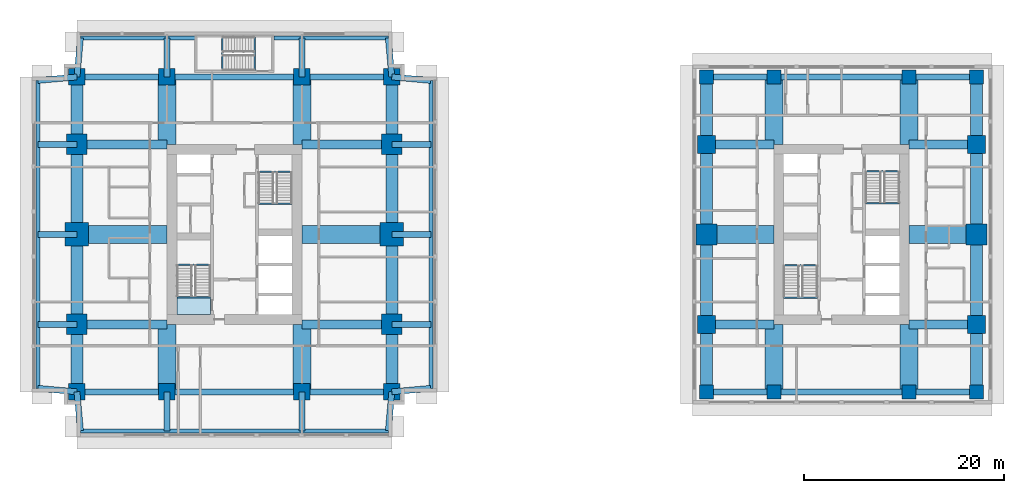
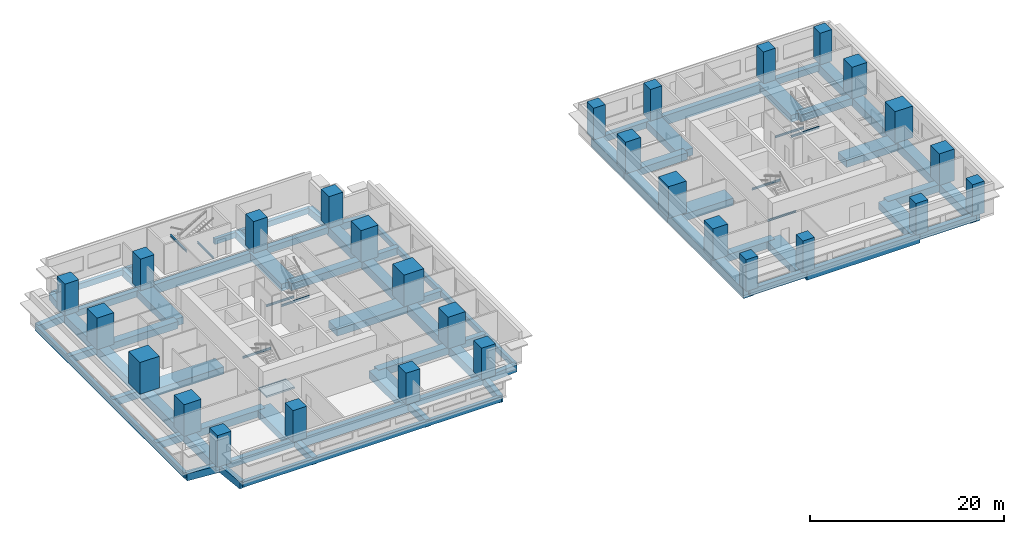
# One storey, part 1 of 11: 81 beams, 28 columns, 1 slab, 1 element without a shape of its own.
"""IFC4 building model written with IfcOpenShell, lengths in metres."""

from ifc_helpers import new_model, si_unit, direction, frame, origin, origin_2d, place, context, subcontext, project, spatial, polyline, rectangle, i_section, outline, extrude, material, layer, layer_set, material_profile, profile_set, type_object, element, aggregate, save


model = new_model("IFC4")

# Units and contexts
model_context = context("Model", 3, precision=1e-05, world=origin(), true_north=direction((0.0, 1.0)))
body_context = subcontext(model_context, "Body", "Model", "MODEL_VIEW")
ifc_project = project(units=[si_unit("LENGTHUNIT", "METRE"), si_unit("AREAUNIT", "SQUARE_METRE"), si_unit("VOLUMEUNIT", "CUBIC_METRE"), si_unit("PLANEANGLEUNIT", "RADIAN"), si_unit("MASSUNIT", "GRAM", prefix="KILO")], contexts=[model_context])

# Site, building, storey
site_placement = place(None, origin())
site = spatial("IfcSite", under=ifc_project, at=site_placement, CompositionType="ELEMENT")
building_placement = place(site_placement, origin())
building = spatial("IfcBuilding", under=site, at=building_placement, Name="Namib Vertical Campus", CompositionType="ELEMENT")
storey_placement = place(building_placement, frame((0.0, 0.0, 181.0)))
storey = spatial("IfcBuildingStorey", under=building, at=storey_placement, Name="L42", CompositionType="ELEMENT", Elevation=181.0)

# Columns
ifc_material_1 = material(Name="Concrete C60/75", Category="concrete")
ifc_material_profile_1 = material_profile(ifc_material_1, rectangle(XDim=1.39990234375, YDim=1.39990234375, at=origin_2d()))
ifc_profile_set_1 = profile_set([ifc_material_profile_1], Name="Concrete C60/75")
column_type_1 = type_object("IfcColumnType", Name="Column RC 1400x1400", PredefinedType="COLUMN", material=ifc_profile_set_1)
for number, where, z_axis, x_axis, name in (
    (1, (67.5, 4.5, 0.0), (0.0, 0.0, 1.0), (1.0, 0.0, 0.0), "Column C140 L42"),
    (2, (74.25, 4.5, 0.0), (0.0, 0.0, 1.0), (1.0, 0.0, 0.0), "Column C140 L42"),
    (3, (87.75, 4.5, 0.0), (0.0, 0.0, 1.0), (1.0, 0.0, 0.0), "Column C140 L42"),
    (4, (94.5, 4.5, 0.0), (0.0, 0.0, 1.0), (1.0, 0.0, 0.0), "Column C140 L42"),
    (5, (67.5, 36.0, 0.0), (0.0, 0.0, 1.0), (1.0, 0.0, 0.0), "Column C140 L42"),
    (6, (74.25, 36.0, 0.0), (0.0, 0.0, 1.0), (1.0, 0.0, 0.0), "Column C140 L42"),
    (7, (87.75, 36.0, 0.0), (0.0, 0.0, 1.0), (1.0, 0.0, 0.0), "Column C140 L42"),
    (8, (94.5, 36.0, 0.0), (0.0, 0.0, 1.0), (1.0, 0.0, 0.0), "Column C140 L42"),
):
    element("IfcColumn", number, at=place(storey_placement, frame(where, z_axis=z_axis, x_axis=x_axis)), inside=storey, type_object=column_type_1, Name=name, PredefinedType="COLUMN", context=body_context, shape_type="SweptSolid", body=[
        extrude(rectangle(XDim=1.39990234375, YDim=1.39990234375, at=origin_2d()), origin(), (0.0, 0.0, 1.0), 4.0),
    ])
ifc_material_2 = material(Name="Concrete C60/75", Category="concrete")
ifc_material_profile_2 = material_profile(ifc_material_2, rectangle(XDim=1.64990234375, YDim=1.64990234375, at=origin_2d()))
ifc_profile_set_2 = profile_set([ifc_material_profile_2], Name="Concrete C60/75")
column_type_2 = type_object("IfcColumnType", Name="Column RC 1650x1650", PredefinedType="COLUMN", material=ifc_profile_set_2)
for number, where, z_axis, x_axis, name in (
    (9, (4.5, 4.5, 0.0), (0.0, 0.0, 1.0), (1.0, 0.0, 0.0), "Column C165 L42"),
    (10, (13.5, 4.5, 0.0), (0.0, 0.0, 1.0), (1.0, 0.0, 0.0), "Column C165 L42"),
    (11, (27.0, 4.5, 0.0), (0.0, 0.0, 1.0), (1.0, 0.0, 0.0), "Column C165 L42"),
    (12, (36.0, 4.5, 0.0), (0.0, 0.0, 1.0), (1.0, 0.0, 0.0), "Column C165 L42"),
    (13, (4.5, 36.0, 0.0), (0.0, 0.0, 1.0), (1.0, 0.0, 0.0), "Column C165 L42"),
    (14, (13.5, 36.0, 0.0), (0.0, 0.0, 1.0), (1.0, 0.0, 0.0), "Column C165 L42"),
    (15, (27.0, 36.0, 0.0), (0.0, 0.0, 1.0), (1.0, 0.0, 0.0), "Column C165 L42"),
    (16, (36.0, 36.0, 0.0), (0.0, 0.0, 1.0), (1.0, 0.0, 0.0), "Column C165 L42"),
):
    element("IfcColumn", number, at=place(storey_placement, frame(where, z_axis=z_axis, x_axis=x_axis)), inside=storey, type_object=column_type_2, Name=name, PredefinedType="COLUMN", context=body_context, shape_type="SweptSolid", body=[
        extrude(rectangle(XDim=1.64990234375, YDim=1.64990234375, at=origin_2d()), origin(), (0.0, 0.0, 1.0), 4.0),
    ])
ifc_material_3 = material(Name="Concrete C60/75", Category="concrete")
ifc_material_profile_3 = material_profile(ifc_material_3, rectangle(XDim=1.800048828125, YDim=1.800048828125, at=origin_2d()))
ifc_profile_set_3 = profile_set([ifc_material_profile_3], Name="Concrete C60/75")
column_type_3 = type_object("IfcColumnType", Name="Column RC 1800x1800", PredefinedType="COLUMN", material=ifc_profile_set_3)
for number, where, z_axis, x_axis, name in (
    (17, (67.5, 11.25, 0.0), (0.0, 0.0, 1.0), (1.0, 0.0, 0.0), "Column C180 L42"),
    (18, (94.5, 11.25, 0.0), (0.0, 0.0, 1.0), (1.0, 0.0, 0.0), "Column C180 L42"),
    (19, (67.5, 29.25, 0.0), (0.0, 0.0, 1.0), (1.0, 0.0, 0.0), "Column C180 L42"),
    (20, (94.5, 29.25, 0.0), (0.0, 0.0, 1.0), (1.0, 0.0, 0.0), "Column C180 L42"),
):
    element("IfcColumn", number, at=place(storey_placement, frame(where, z_axis=z_axis, x_axis=x_axis)), inside=storey, type_object=column_type_3, Name=name, PredefinedType="COLUMN", context=body_context, shape_type="SweptSolid", body=[
        extrude(rectangle(XDim=1.800048828125, YDim=1.800048828125, at=origin_2d()), origin(), (0.0, 0.0, 1.0), 4.0),
    ])
ifc_material_4 = material(Name="Concrete C60/75", Category="concrete")
ifc_material_profile_4 = material_profile(ifc_material_4, rectangle(XDim=2.050048828125, YDim=2.050048828125, at=origin_2d()))
ifc_profile_set_4 = profile_set([ifc_material_profile_4], Name="Concrete C60/75")
column_type_4 = type_object("IfcColumnType", Name="Column RC 2050x2050", PredefinedType="COLUMN", material=ifc_profile_set_4)
for number, where, z_axis, x_axis, name in (
    (21, (4.5, 11.25, 0.0), (0.0, 0.0, 1.0), (1.0, 0.0, 0.0), "Column C205 L42"),
    (22, (36.0, 11.25, 0.0), (0.0, 0.0, 1.0), (1.0, 0.0, 0.0), "Column C205 L42"),
    (23, (4.5, 29.25, 0.0), (0.0, 0.0, 1.0), (1.0, 0.0, 0.0), "Column C205 L42"),
    (24, (36.0, 29.25, 0.0), (0.0, 0.0, 1.0), (1.0, 0.0, 0.0), "Column C205 L42"),
):
    element("IfcColumn", number, at=place(storey_placement, frame(where, z_axis=z_axis, x_axis=x_axis)), inside=storey, type_object=column_type_4, Name=name, PredefinedType="COLUMN", context=body_context, shape_type="SweptSolid", body=[
        extrude(rectangle(XDim=2.050048828125, YDim=2.050048828125, at=origin_2d()), origin(), (0.0, 0.0, 1.0), 4.0),
    ])
ifc_material_5 = material(Name="Concrete C60/75", Category="concrete")
ifc_material_profile_5 = material_profile(ifc_material_5, rectangle(XDim=2.10009765625, YDim=2.10009765625, at=origin_2d()))
ifc_profile_set_5 = profile_set([ifc_material_profile_5], Name="Concrete C60/75")
column_type_5 = type_object("IfcColumnType", Name="Column RC 2100x2100", PredefinedType="COLUMN", material=ifc_profile_set_5)
for number, where, z_axis, x_axis, name in (
    (25, (67.5, 20.25, 0.0), (0.0, 0.0, 1.0), (1.0, 0.0, 0.0), "Column C210 L42"),
    (26, (94.5, 20.25, 0.0), (0.0, 0.0, 1.0), (1.0, 0.0, 0.0), "Column C210 L42"),
):
    element("IfcColumn", number, at=place(storey_placement, frame(where, z_axis=z_axis, x_axis=x_axis)), inside=storey, type_object=column_type_5, Name=name, PredefinedType="COLUMN", context=body_context, shape_type="SweptSolid", body=[
        extrude(rectangle(XDim=2.10009765625, YDim=2.10009765625, at=origin_2d()), origin(), (0.0, 0.0, 1.0), 4.0),
    ])
ifc_material_6 = material(Name="Concrete C60/75", Category="concrete")
ifc_material_profile_6 = material_profile(ifc_material_6, rectangle(XDim=2.35009765625, YDim=2.35009765625, at=origin_2d()))
ifc_profile_set_6 = profile_set([ifc_material_profile_6], Name="Concrete C60/75")
column_type_6 = type_object("IfcColumnType", Name="Column RC 2350x2350", PredefinedType="COLUMN", material=ifc_profile_set_6)
for number, where, z_axis, x_axis, name in (
    (27, (4.5, 20.25, 0.0), (0.0, 0.0, 1.0), (1.0, 0.0, 0.0), "Column C235 L42"),
    (28, (36.0, 20.25, 0.0), (0.0, 0.0, 1.0), (1.0, 0.0, 0.0), "Column C235 L42"),
):
    element("IfcColumn", number, at=place(storey_placement, frame(where, z_axis=z_axis, x_axis=x_axis)), inside=storey, type_object=column_type_6, Name=name, PredefinedType="COLUMN", context=body_context, shape_type="SweptSolid", body=[
        extrude(rectangle(XDim=2.35009765625, YDim=2.35009765625, at=origin_2d()), origin(), (0.0, 0.0, 1.0), 4.0),
    ])

# Beams
ifc_material_7 = material(Name="Concrete C40/50", Category="concrete")
ifc_material_profile_7 = material_profile(ifc_material_7, rectangle(XDim=0.60009765625, YDim=0.89990234375, at=origin_2d()))
ifc_profile_set_7 = profile_set([ifc_material_profile_7], Name="Concrete C40/50")
beam_type_1 = type_object("IfcBeamType", Name="Cantilever girder RC 600x900", PredefinedType="BEAM", material=ifc_profile_set_7)
beam_1_placement = place(storey_placement, frame((4.5, 4.5, -0.699951171875), z_axis=(0.089411326146, -0.995994786511, 0.0), x_axis=(0.995994786511, 0.089411326146, 0.0)))
element("IfcBeam", 29, at=beam_1_placement, inside=storey, type_object=beam_type_1, Name="Beam B3 L42", PredefinedType="BEAM", context=body_context, shape_type="SweptSolid", body=[
    extrude(rectangle(XDim=0.60009765625, YDim=0.89990234375, at=origin_2d()), origin(), (0.0, 0.0, 1.0), 3.91552734375),
])
for number, where, z_axis, x_axis, name in (
    (30, (13.5, 4.5, -0.699951171875), (0.0, -1.0, 0.0), (1.0, 0.0, 0.0), "Beam B3 L42"),
    (31, (27.0, 4.5, -0.699951171875), (0.0, -1.0, 0.0), (1.0, 0.0, 0.0), "Beam B3 L42"),
):
    element("IfcBeam", number, at=place(storey_placement, frame(where, z_axis=z_axis, x_axis=x_axis)), inside=storey, type_object=beam_type_1, Name=name, PredefinedType="BEAM", context=body_context, shape_type="SweptSolid", body=[
        extrude(rectangle(XDim=0.60009765625, YDim=0.89990234375, at=origin_2d()), origin(), (0.0, 0.0, 1.0), 3.89990234375),
    ])
for number, where, z_axis, x_axis, name in (
    (32, (36.0, 4.5, -0.699951171875), (-0.089411326146, -0.995994786511, 0.0), (0.995994786511, -0.089411326146, 0.0), "Beam B3 L42"),
    (33, (4.5, 36.0, -0.699951171875), (0.089411326146, 0.995994786511, 0.0), (-0.995994786511, 0.089411326146, 0.0), "Beam B3 L42"),
):
    element("IfcBeam", number, at=place(storey_placement, frame(where, z_axis=z_axis, x_axis=x_axis)), inside=storey, type_object=beam_type_1, Name=name, PredefinedType="BEAM", context=body_context, shape_type="SweptSolid", body=[
        extrude(rectangle(XDim=0.60009765625, YDim=0.89990234375, at=origin_2d()), origin(), (0.0, 0.0, 1.0), 3.91552734375),
    ])
for number, where, z_axis, x_axis, name in (
    (34, (13.5, 36.0, -0.699951171875), (0.0, 1.0, 0.0), (-1.0, 0.0, 0.0), "Beam B3 L42"),
    (35, (27.0, 36.0, -0.699951171875), (0.0, 1.0, 0.0), (-1.0, 0.0, 0.0), "Beam B3 L42"),
):
    element("IfcBeam", number, at=place(storey_placement, frame(where, z_axis=z_axis, x_axis=x_axis)), inside=storey, type_object=beam_type_1, Name=name, PredefinedType="BEAM", context=body_context, shape_type="SweptSolid", body=[
        extrude(rectangle(XDim=0.60009765625, YDim=0.89990234375, at=origin_2d()), origin(), (0.0, 0.0, 1.0), 3.89990234375),
    ])
for number, where, z_axis, x_axis, name in (
    (36, (36.0, 36.0, -0.699951171875), (-0.089411326146, 0.995994786511, 0.0), (-0.995994786511, -0.089411326146, 0.0), "Beam B3 L42"),
    (37, (4.5, 4.5, -0.699951171875), (-0.995994786511, 0.089411326146, 0.0), (-0.089411326146, -0.995994786511, 0.0), "Beam B3 L42"),
):
    element("IfcBeam", number, at=place(storey_placement, frame(where, z_axis=z_axis, x_axis=x_axis)), inside=storey, type_object=beam_type_1, Name=name, PredefinedType="BEAM", context=body_context, shape_type="SweptSolid", body=[
        extrude(rectangle(XDim=0.60009765625, YDim=0.89990234375, at=origin_2d()), origin(), (0.0, 0.0, 1.0), 3.91552734375),
    ])
for number, where, z_axis, x_axis, name in (
    (38, (4.5, 11.25, -0.699951171875), (-1.0, 0.0, 0.0), (0.0, -1.0, 0.0), "Beam B3 L42"),
    (39, (4.5, 20.25, -0.699951171875), (-1.0, 0.0, 0.0), (0.0, -1.0, 0.0), "Beam B3 L42"),
    (40, (4.5, 29.25, -0.699951171875), (-1.0, 0.0, 0.0), (0.0, -1.0, 0.0), "Beam B3 L42"),
):
    element("IfcBeam", number, at=place(storey_placement, frame(where, z_axis=z_axis, x_axis=x_axis)), inside=storey, type_object=beam_type_1, Name=name, PredefinedType="BEAM", context=body_context, shape_type="SweptSolid", body=[
        extrude(rectangle(XDim=0.60009765625, YDim=0.89990234375, at=origin_2d()), origin(), (0.0, 0.0, 1.0), 3.89990234375),
    ])
for number, where, z_axis, x_axis, name in (
    (41, (4.5, 36.0, -0.699951171875), (-0.995994786511, -0.089411326146, 0.0), (0.089411326146, -0.995994786511, 0.0), "Beam B3 L42"),
    (42, (36.0, 4.5, -0.699951171875), (0.995994786511, 0.089411326146, 0.0), (-0.089411326146, 0.995994786511, 0.0), "Beam B3 L42"),
):
    element("IfcBeam", number, at=place(storey_placement, frame(where, z_axis=z_axis, x_axis=x_axis)), inside=storey, type_object=beam_type_1, Name=name, PredefinedType="BEAM", context=body_context, shape_type="SweptSolid", body=[
        extrude(rectangle(XDim=0.60009765625, YDim=0.89990234375, at=origin_2d()), origin(), (0.0, 0.0, 1.0), 3.91552734375),
    ])
for number, where, z_axis, x_axis, name in (
    (43, (36.0, 11.25, -0.699951171875), (1.0, 0.0, 0.0), (0.0, 1.0, 0.0), "Beam B3 L42"),
    (44, (36.0, 20.25, -0.699951171875), (1.0, 0.0, 0.0), (0.0, 1.0, 0.0), "Beam B3 L42"),
    (45, (36.0, 29.25, -0.699951171875), (1.0, 0.0, 0.0), (0.0, 1.0, 0.0), "Beam B3 L42"),
):
    element("IfcBeam", number, at=place(storey_placement, frame(where, z_axis=z_axis, x_axis=x_axis)), inside=storey, type_object=beam_type_1, Name=name, PredefinedType="BEAM", context=body_context, shape_type="SweptSolid", body=[
        extrude(rectangle(XDim=0.60009765625, YDim=0.89990234375, at=origin_2d()), origin(), (0.0, 0.0, 1.0), 3.89990234375),
    ])
beam_2_placement = place(storey_placement, frame((36.0, 36.0, -0.699951171875), z_axis=(0.995994786511, -0.089411326146, 0.0), x_axis=(0.089411326146, 0.995994786511, 0.0)))
element("IfcBeam", 46, at=beam_2_placement, inside=storey, type_object=beam_type_1, Name="Beam B3 L42", PredefinedType="BEAM", context=body_context, shape_type="SweptSolid", body=[
    extrude(rectangle(XDim=0.60009765625, YDim=0.89990234375, at=origin_2d()), origin(), (0.0, 0.0, 1.0), 3.91552734375),
])
ifc_material_8 = material(Name="Concrete C40/50", Category="concrete")
ifc_material_profile_8 = material_profile(ifc_material_8, rectangle(XDim=0.39990234375, YDim=0.699951171875, at=origin_2d()))
ifc_profile_set_8 = profile_set([ifc_material_profile_8], Name="Concrete C40/50")
beam_type_2 = type_object("IfcBeamType", Name="Edge beam RC 400x700", PredefinedType="SPANDREL", material=ifc_profile_set_8)
beam_3_placement = place(storey_placement, frame((4.85009765625, 0.60009765625, -0.60009765625), z_axis=(1.0, 0.0, 0.0), x_axis=(0.0, 1.0, 0.0)))
element("IfcBeam", 47, at=beam_3_placement, inside=storey, type_object=beam_type_2, Name="Beam B4 L42", PredefinedType="SPANDREL", context=body_context, shape_type="SweptSolid", body=[
    extrude(rectangle(XDim=0.39990234375, YDim=0.699951171875, at=origin_2d()), origin(), (0.0, 0.0, 1.0), 30.7998046875),
])
for number, where, z_axis, x_axis, name in (
    (48, (4.85009765625, 39.89990234375, -0.60009765625), (1.0, 0.0, 0.0), (0.0, 1.0, 0.0), "Beam B4 L42"),
    (49, (24.199951171875, 39.89990234375, -0.60009765625), (1.0, 0.0, 0.0), (0.0, 1.0, 0.0), "Beam B4 L42"),
):
    element("IfcBeam", number, at=place(storey_placement, frame(where, z_axis=z_axis, x_axis=x_axis)), inside=storey, type_object=beam_type_2, Name=name, PredefinedType="SPANDREL", context=body_context, shape_type="SweptSolid", body=[
        extrude(rectangle(XDim=0.39990234375, YDim=0.699951171875, at=origin_2d()), origin(), (0.0, 0.0, 1.0), 11.449951171875),
    ])
for number, where, z_axis, x_axis, name in (
    (50, (0.60009765625, 4.85009765625, -0.60009765625), (0.0, 1.0, 0.0), (-1.0, 0.0, 0.0), "Beam B4 L42"),
    (51, (39.89990234375, 4.85009765625, -0.60009765625), (0.0, 1.0, 0.0), (-1.0, 0.0, 0.0), "Beam B4 L42"),
):
    element("IfcBeam", number, at=place(storey_placement, frame(where, z_axis=z_axis, x_axis=x_axis)), inside=storey, type_object=beam_type_2, Name=name, PredefinedType="SPANDREL", context=body_context, shape_type="SweptSolid", body=[
        extrude(rectangle(XDim=0.39990234375, YDim=0.699951171875, at=origin_2d()), origin(), (0.0, 0.0, 1.0), 30.7998046875),
    ])
ifc_material_9 = material(Name="Concrete C40/50", Category="concrete")
ifc_material_profile_9 = material_profile(ifc_material_9, rectangle(XDim=0.89990234375, YDim=0.89990234375, at=origin_2d()))
ifc_profile_set_9 = profile_set([ifc_material_profile_9], Name="Concrete C40/50")
beam_type_3 = type_object("IfcBeamType", Name="Face girder RC 900x900", PredefinedType="BEAM", material=ifc_profile_set_9)
for number, where, z_axis, x_axis, name in (
    (52, (4.5, 11.25, -0.699951171875), (1.0, 0.0, 0.0), (0.0, 1.0, 0.0), "Beam B10 L42"),
    (53, (36.0, 11.25, -0.699951171875), (-1.0, 0.0, 0.0), (0.0, -1.0, 0.0), "Beam B10 L42"),
    (54, (4.5, 29.25, -0.699951171875), (1.0, 0.0, 0.0), (0.0, 1.0, 0.0), "Beam B10 L42"),
    (55, (36.0, 29.25, -0.699951171875), (-1.0, 0.0, 0.0), (0.0, -1.0, 0.0), "Beam B10 L42"),
):
    element("IfcBeam", number, at=place(storey_placement, frame(where, z_axis=z_axis, x_axis=x_axis)), inside=storey, type_object=beam_type_3, Name=name, PredefinedType="BEAM", context=body_context, shape_type="SweptSolid", body=[
        extrude(rectangle(XDim=0.89990234375, YDim=0.89990234375, at=origin_2d()), origin(), (0.0, 0.0, 1.0), 9.0),
    ])
for number, where, z_axis, x_axis, name in (
    (56, (67.5, 11.25, -0.699951171875), (1.0, 0.0, 0.0), (0.0, 1.0, 0.0), "Beam B10 L42"),
    (57, (94.5, 11.25, -0.699951171875), (-1.0, 0.0, 0.0), (0.0, -1.0, 0.0), "Beam B10 L42"),
    (58, (67.5, 29.25, -0.699951171875), (1.0, 0.0, 0.0), (0.0, 1.0, 0.0), "Beam B10 L42"),
    (59, (94.5, 29.25, -0.699951171875), (-1.0, 0.0, 0.0), (0.0, -1.0, 0.0), "Beam B10 L42"),
):
    element("IfcBeam", number, at=place(storey_placement, frame(where, z_axis=z_axis, x_axis=x_axis)), inside=storey, type_object=beam_type_3, Name=name, PredefinedType="BEAM", context=body_context, shape_type="SweptSolid", body=[
        extrude(rectangle(XDim=0.89990234375, YDim=0.89990234375, at=origin_2d()), origin(), (0.0, 0.0, 1.0), 6.75),
    ])
ifc_material_10 = material(Name="Concrete C40/50", Category="concrete")
ifc_material_profile_10 = material_profile(ifc_material_10, rectangle(XDim=1.199951171875, YDim=1.10009765625, at=origin_2d()))
ifc_profile_set_10 = profile_set([ifc_material_profile_10], Name="Concrete C40/50")
beam_type_4 = type_object("IfcBeamType", Name="Face ring beam RC 1200x1100", PredefinedType="BEAM", material=ifc_profile_set_10)
beam_4_placement = place(storey_placement, frame((4.5, 4.5, -0.800048828125), z_axis=(0.0, 1.0, 0.0), x_axis=(-1.0, 0.0, 0.0)))
element("IfcBeam", 60, at=beam_4_placement, inside=storey, type_object=beam_type_4, Name="Beam B11 L42", PredefinedType="BEAM", context=body_context, shape_type="SweptSolid", body=[
    extrude(rectangle(XDim=1.199951171875, YDim=1.10009765625, at=origin_2d()), origin(), (0.0, 0.0, 1.0), 6.75),
])
for number, where, z_axis, x_axis, name in (
    (61, (4.5, 11.25, -0.800048828125), (0.0, 1.0, 0.0), (-1.0, 0.0, 0.0), "Beam B11 L42"),
    (62, (4.5, 20.25, -0.800048828125), (0.0, 1.0, 0.0), (-1.0, 0.0, 0.0), "Beam B11 L42"),
):
    element("IfcBeam", number, at=place(storey_placement, frame(where, z_axis=z_axis, x_axis=x_axis)), inside=storey, type_object=beam_type_4, Name=name, PredefinedType="BEAM", context=body_context, shape_type="SweptSolid", body=[
        extrude(rectangle(XDim=1.199951171875, YDim=1.10009765625, at=origin_2d()), origin(), (0.0, 0.0, 1.0), 9.0),
    ])
for number, where, z_axis, x_axis, name in (
    (63, (4.5, 29.25, -0.800048828125), (0.0, 1.0, 0.0), (-1.0, 0.0, 0.0), "Beam B11 L42"),
    (64, (36.0, 4.5, -0.800048828125), (0.0, 1.0, 0.0), (-1.0, 0.0, 0.0), "Beam B11 L42"),
):
    element("IfcBeam", number, at=place(storey_placement, frame(where, z_axis=z_axis, x_axis=x_axis)), inside=storey, type_object=beam_type_4, Name=name, PredefinedType="BEAM", context=body_context, shape_type="SweptSolid", body=[
        extrude(rectangle(XDim=1.199951171875, YDim=1.10009765625, at=origin_2d()), origin(), (0.0, 0.0, 1.0), 6.75),
    ])
for number, where, z_axis, x_axis, name in (
    (65, (36.0, 11.25, -0.800048828125), (0.0, 1.0, 0.0), (-1.0, 0.0, 0.0), "Beam B11 L42"),
    (66, (36.0, 20.25, -0.800048828125), (0.0, 1.0, 0.0), (-1.0, 0.0, 0.0), "Beam B11 L42"),
):
    element("IfcBeam", number, at=place(storey_placement, frame(where, z_axis=z_axis, x_axis=x_axis)), inside=storey, type_object=beam_type_4, Name=name, PredefinedType="BEAM", context=body_context, shape_type="SweptSolid", body=[
        extrude(rectangle(XDim=1.199951171875, YDim=1.10009765625, at=origin_2d()), origin(), (0.0, 0.0, 1.0), 9.0),
    ])
for number, where, z_axis, x_axis, name in (
    (67, (36.0, 29.25, -0.800048828125), (0.0, 1.0, 0.0), (-1.0, 0.0, 0.0), "Beam B11 L42"),
    (68, (67.5, 4.5, -0.800048828125), (0.0, 1.0, 0.0), (-1.0, 0.0, 0.0), "Beam B11 L42"),
):
    element("IfcBeam", number, at=place(storey_placement, frame(where, z_axis=z_axis, x_axis=x_axis)), inside=storey, type_object=beam_type_4, Name=name, PredefinedType="BEAM", context=body_context, shape_type="SweptSolid", body=[
        extrude(rectangle(XDim=1.199951171875, YDim=1.10009765625, at=origin_2d()), origin(), (0.0, 0.0, 1.0), 6.75),
    ])
for number, where, z_axis, x_axis, name in (
    (69, (67.5, 11.25, -0.800048828125), (0.0, 1.0, 0.0), (-1.0, 0.0, 0.0), "Beam B11 L42"),
    (70, (67.5, 20.25, -0.800048828125), (0.0, 1.0, 0.0), (-1.0, 0.0, 0.0), "Beam B11 L42"),
):
    element("IfcBeam", number, at=place(storey_placement, frame(where, z_axis=z_axis, x_axis=x_axis)), inside=storey, type_object=beam_type_4, Name=name, PredefinedType="BEAM", context=body_context, shape_type="SweptSolid", body=[
        extrude(rectangle(XDim=1.199951171875, YDim=1.10009765625, at=origin_2d()), origin(), (0.0, 0.0, 1.0), 9.0),
    ])
for number, where, z_axis, x_axis, name in (
    (71, (67.5, 29.25, -0.800048828125), (0.0, 1.0, 0.0), (-1.0, 0.0, 0.0), "Beam B11 L42"),
    (72, (94.5, 4.5, -0.800048828125), (0.0, 1.0, 0.0), (-1.0, 0.0, 0.0), "Beam B11 L42"),
):
    element("IfcBeam", number, at=place(storey_placement, frame(where, z_axis=z_axis, x_axis=x_axis)), inside=storey, type_object=beam_type_4, Name=name, PredefinedType="BEAM", context=body_context, shape_type="SweptSolid", body=[
        extrude(rectangle(XDim=1.199951171875, YDim=1.10009765625, at=origin_2d()), origin(), (0.0, 0.0, 1.0), 6.75),
    ])
for number, where, z_axis, x_axis, name in (
    (73, (94.5, 11.25, -0.800048828125), (0.0, 1.0, 0.0), (-1.0, 0.0, 0.0), "Beam B11 L42"),
    (74, (94.5, 20.25, -0.800048828125), (0.0, 1.0, 0.0), (-1.0, 0.0, 0.0), "Beam B11 L42"),
):
    element("IfcBeam", number, at=place(storey_placement, frame(where, z_axis=z_axis, x_axis=x_axis)), inside=storey, type_object=beam_type_4, Name=name, PredefinedType="BEAM", context=body_context, shape_type="SweptSolid", body=[
        extrude(rectangle(XDim=1.199951171875, YDim=1.10009765625, at=origin_2d()), origin(), (0.0, 0.0, 1.0), 9.0),
    ])
beam_5_placement = place(storey_placement, frame((94.5, 29.25, -0.800048828125), z_axis=(0.0, 1.0, 0.0), x_axis=(-1.0, 0.0, 0.0)))
element("IfcBeam", 75, at=beam_5_placement, inside=storey, type_object=beam_type_4, Name="Beam B11 L42", PredefinedType="BEAM", context=body_context, shape_type="SweptSolid", body=[
    extrude(rectangle(XDim=1.199951171875, YDim=1.10009765625, at=origin_2d()), origin(), (0.0, 0.0, 1.0), 6.75),
])
ifc_material_11 = material(Name="Steel S355JR", Category="steel")
ifc_material_profile_11 = material_profile(ifc_material_11, i_section(OverallWidth=0.14599609375, OverallDepth=0.25146484375, WebThickness=0.006103515625, FlangeThickness=0.008544921875, FilletRadius=0.007568359375, at=origin_2d()))
ifc_profile_set_11 = profile_set([ifc_material_profile_11], Name="Steel S355JR")
beam_type_5 = type_object("IfcBeamType", Name="Landing trimmer UB 254x146x31", PredefinedType="BEAM", material=ifc_profile_set_11)
for number, where, z_axis, x_axis, name in (
    (76, (14.5, 13.97705078125, -0.125732421875), (1.0, 0.0, 0.0), (0.0, 1.0, 0.0), "Landing trimmer LT1 A-S1 L42 1"),
    (77, (14.5, 17.203125, 1.874267578125), (1.0, 0.0, 0.0), (0.0, 1.0, 0.0), "Landing trimmer LT1 A-S1 L42 2"),
    (78, (22.64990234375, 26.52294921875, -0.125732421875), (1.0, 0.0, 0.0), (0.0, 1.0, 0.0), "Landing trimmer LT1 A-S2 L42 1"),
    (79, (22.64990234375, 23.296875, 1.874267578125), (1.0, 0.0, 0.0), (0.0, 1.0, 0.0), "Landing trimmer LT1 A-S2 L42 2"),
):
    element("IfcBeam", number, at=place(storey_placement, frame(where, z_axis=z_axis, x_axis=x_axis)), inside=storey, type_object=beam_type_5, Name=name, PredefinedType="BEAM", context=body_context, shape_type="SweptSolid", body=[
        extrude(i_section(OverallWidth=0.14599609375, OverallDepth=0.25146484375, WebThickness=0.006103515625, FlangeThickness=0.008544921875, FilletRadius=0.007568359375, at=origin_2d()), origin(), (0.0, 0.0, 1.0), 3.35009765625),
    ])
for number, where, z_axis, x_axis, name in (
    (80, (75.199951171875, 13.927001953125, -0.125732421875), (1.0, 0.0, 0.0), (0.0, 1.0, 0.0), "Landing trimmer LT1 B-S1 L42 1"),
    (81, (75.199951171875, 17.153076171875, 1.874267578125), (1.0, 0.0, 0.0), (0.0, 1.0, 0.0), "Landing trimmer LT1 B-S1 L42 2"),
    (82, (83.39990234375, 26.572998046875, -0.125732421875), (1.0, 0.0, 0.0), (0.0, 1.0, 0.0), "Landing trimmer LT1 B-S2 L42 1"),
    (83, (83.39990234375, 23.346923828125, 1.874267578125), (1.0, 0.0, 0.0), (0.0, 1.0, 0.0), "Landing trimmer LT1 B-S2 L42 2"),
):
    element("IfcBeam", number, at=place(storey_placement, frame(where, z_axis=z_axis, x_axis=x_axis)), inside=storey, type_object=beam_type_5, Name=name, PredefinedType="BEAM", context=body_context, shape_type="SweptSolid", body=[
        extrude(i_section(OverallWidth=0.14599609375, OverallDepth=0.25146484375, WebThickness=0.006103515625, FlangeThickness=0.008544921875, FilletRadius=0.007568359375, at=origin_2d()), origin(), (0.0, 0.0, 1.0), 3.400146484375),
    ])
for number, where, z_axis, x_axis, name in (
    (84, (22.27294921875, 36.64990234375, -0.125732421875), (0.0, 1.0, 0.0), (-1.0, 0.0, 0.0), "Landing trimmer LT1 A-S3 L42 1"),
    (85, (19.046875, 36.64990234375, 1.874267578125), (0.0, 1.0, 0.0), (-1.0, 0.0, 0.0), "Landing trimmer LT1 A-S3 L42 2"),
):
    element("IfcBeam", number, at=place(storey_placement, frame(where, z_axis=z_axis, x_axis=x_axis)), inside=storey, type_object=beam_type_5, Name=name, PredefinedType="BEAM", context=body_context, shape_type="SweptSolid", body=[
        extrude(i_section(OverallWidth=0.14599609375, OverallDepth=0.25146484375, WebThickness=0.006103515625, FlangeThickness=0.008544921875, FilletRadius=0.007568359375, at=origin_2d()), origin(), (0.0, 0.0, 1.0), 3.35009765625),
    ])
ifc_material_12 = material(Name="Concrete C40/50", Category="concrete")
ifc_material_profile_12 = material_profile(ifc_material_12, rectangle(XDim=0.60009765625, YDim=1.199951171875, at=origin_2d()))
ifc_profile_set_12 = profile_set([ifc_material_profile_12], Name="Concrete C40/50")
beam_type_6 = type_object("IfcBeamType", Name="Long-span ring beam RC 600x1200", PredefinedType="BEAM", material=ifc_profile_set_12)
for number, where, z_axis, x_axis, name in (
    (86, (13.5, 4.5, -0.85009765625), (1.0, 0.0, 0.0), (0.0, 1.0, 0.0), "Beam B9 L42"),
    (87, (13.5, 36.0, -0.85009765625), (1.0, 0.0, 0.0), (0.0, 1.0, 0.0), "Beam B9 L42"),
    (88, (74.25, 4.5, -0.85009765625), (1.0, 0.0, 0.0), (0.0, 1.0, 0.0), "Beam B9 L42"),
    (89, (74.25, 36.0, -0.85009765625), (1.0, 0.0, 0.0), (0.0, 1.0, 0.0), "Beam B9 L42"),
):
    element("IfcBeam", number, at=place(storey_placement, frame(where, z_axis=z_axis, x_axis=x_axis)), inside=storey, type_object=beam_type_6, Name=name, PredefinedType="BEAM", context=body_context, shape_type="SweptSolid", body=[
        extrude(rectangle(XDim=0.60009765625, YDim=1.199951171875, at=origin_2d()), origin(), (0.0, 0.0, 1.0), 13.5),
    ])
ifc_material_13 = material(Name="Concrete C40/50", Category="concrete")
ifc_material_profile_13 = material_profile(ifc_material_13, rectangle(XDim=1.800048828125, YDim=0.89990234375, at=origin_2d()))
ifc_profile_set_13 = profile_set([ifc_material_profile_13], Name="Concrete C40/50")
beam_type_7 = type_object("IfcBeamType", Name="Outrigger line girder RC 1800x900", PredefinedType="BEAM", material=ifc_profile_set_13)
for number, where, z_axis, x_axis, name in (
    (90, (13.5, 4.5, -0.699951171875), (0.0, 1.0, 0.0), (-1.0, 0.0, 0.0), "Beam B12 L42"),
    (91, (13.5, 36.0, -0.699951171875), (0.0, -1.0, 0.0), (1.0, 0.0, 0.0), "Beam B12 L42"),
    (92, (27.0, 4.5, -0.699951171875), (0.0, 1.0, 0.0), (-1.0, 0.0, 0.0), "Beam B12 L42"),
    (93, (27.0, 36.0, -0.699951171875), (0.0, -1.0, 0.0), (1.0, 0.0, 0.0), "Beam B12 L42"),
):
    element("IfcBeam", number, at=place(storey_placement, frame(where, z_axis=z_axis, x_axis=x_axis)), inside=storey, type_object=beam_type_7, Name=name, PredefinedType="BEAM", context=body_context, shape_type="SweptSolid", body=[
        extrude(rectangle(XDim=1.800048828125, YDim=0.89990234375, at=origin_2d()), origin(), (0.0, 0.0, 1.0), 6.75),
    ])
for number, where, z_axis, x_axis, name in (
    (94, (4.5, 20.25, -0.699951171875), (1.0, 0.0, 0.0), (0.0, 1.0, 0.0), "Beam B12 L42"),
    (95, (36.0, 20.25, -0.699951171875), (-1.0, 0.0, 0.0), (0.0, -1.0, 0.0), "Beam B12 L42"),
):
    element("IfcBeam", number, at=place(storey_placement, frame(where, z_axis=z_axis, x_axis=x_axis)), inside=storey, type_object=beam_type_7, Name=name, PredefinedType="BEAM", context=body_context, shape_type="SweptSolid", body=[
        extrude(rectangle(XDim=1.800048828125, YDim=0.89990234375, at=origin_2d()), origin(), (0.0, 0.0, 1.0), 9.0),
    ])
for number, where, z_axis, x_axis, name in (
    (96, (74.25, 4.5, -0.699951171875), (0.0, 1.0, 0.0), (-1.0, 0.0, 0.0), "Beam B12 L42"),
    (97, (74.25, 36.0, -0.699951171875), (0.0, -1.0, 0.0), (1.0, 0.0, 0.0), "Beam B12 L42"),
    (98, (87.75, 4.5, -0.699951171875), (0.0, 1.0, 0.0), (-1.0, 0.0, 0.0), "Beam B12 L42"),
    (99, (87.75, 36.0, -0.699951171875), (0.0, -1.0, 0.0), (1.0, 0.0, 0.0), "Beam B12 L42"),
    (100, (67.5, 20.25, -0.699951171875), (1.0, 0.0, 0.0), (0.0, 1.0, 0.0), "Beam B12 L42"),
    (101, (94.5, 20.25, -0.699951171875), (-1.0, 0.0, 0.0), (0.0, -1.0, 0.0), "Beam B12 L42"),
):
    element("IfcBeam", number, at=place(storey_placement, frame(where, z_axis=z_axis, x_axis=x_axis)), inside=storey, type_object=beam_type_7, Name=name, PredefinedType="BEAM", context=body_context, shape_type="SweptSolid", body=[
        extrude(rectangle(XDim=1.800048828125, YDim=0.89990234375, at=origin_2d()), origin(), (0.0, 0.0, 1.0), 6.75),
    ])
ifc_material_14 = material(Name="Concrete C40/50", Category="concrete")
ifc_material_profile_14 = material_profile(ifc_material_14, rectangle(XDim=0.60009765625, YDim=0.800048828125, at=origin_2d()))
ifc_profile_set_14 = profile_set([ifc_material_profile_14], Name="Concrete C40/50")
beam_type_8 = type_object("IfcBeamType", Name="Ring beam RC 600x800", PredefinedType="BEAM", material=ifc_profile_set_14)
for number, where, z_axis, x_axis, name in (
    (102, (4.5, 4.5, -0.64990234375), (1.0, 0.0, 0.0), (0.0, 1.0, 0.0), "Beam B1 L42"),
    (103, (27.0, 4.5, -0.64990234375), (1.0, 0.0, 0.0), (0.0, 1.0, 0.0), "Beam B1 L42"),
    (104, (4.5, 36.0, -0.64990234375), (1.0, 0.0, 0.0), (0.0, 1.0, 0.0), "Beam B1 L42"),
    (105, (27.0, 36.0, -0.64990234375), (1.0, 0.0, 0.0), (0.0, 1.0, 0.0), "Beam B1 L42"),
):
    element("IfcBeam", number, at=place(storey_placement, frame(where, z_axis=z_axis, x_axis=x_axis)), inside=storey, type_object=beam_type_8, Name=name, PredefinedType="BEAM", context=body_context, shape_type="SweptSolid", body=[
        extrude(rectangle(XDim=0.60009765625, YDim=0.800048828125, at=origin_2d()), origin(), (0.0, 0.0, 1.0), 9.0),
    ])
for number, where, z_axis, x_axis, name in (
    (106, (67.5, 4.5, -0.64990234375), (1.0, 0.0, 0.0), (0.0, 1.0, 0.0), "Beam B1 L42"),
    (107, (87.75, 4.5, -0.64990234375), (1.0, 0.0, 0.0), (0.0, 1.0, 0.0), "Beam B1 L42"),
    (108, (67.5, 36.0, -0.64990234375), (1.0, 0.0, 0.0), (0.0, 1.0, 0.0), "Beam B1 L42"),
    (109, (87.75, 36.0, -0.64990234375), (1.0, 0.0, 0.0), (0.0, 1.0, 0.0), "Beam B1 L42"),
):
    element("IfcBeam", number, at=place(storey_placement, frame(where, z_axis=z_axis, x_axis=x_axis)), inside=storey, type_object=beam_type_8, Name=name, PredefinedType="BEAM", context=body_context, shape_type="SweptSolid", body=[
        extrude(rectangle(XDim=0.60009765625, YDim=0.800048828125, at=origin_2d()), origin(), (0.0, 0.0, 1.0), 6.75),
    ])

# Stair, slab
ifc_material_15 = material(Name="Concrete C40/50 precast", Category="concrete")
stair_type = type_object("IfcStairType", Name="Exit stair 4000 rise 24 risers 3350 wide", PredefinedType="HALF_TURN_STAIR", material=ifc_material_15)
stair_placement = place(storey_placement, origin())
stair = element("IfcStair", 110, at=stair_placement, inside=storey, type_object=stair_type, Name="Exit stair A-S1 L42", PredefinedType="HALF_TURN_STAIR")
ifc_material_16 = material(Name="Concrete C40/50", Category="concrete")
ifc_layer = layer(ifc_material_16, 0.199951171875)
ifc_layer_set = layer_set([ifc_layer], Name="Concrete C40/50")
slab_type = type_object("IfcSlabType", Name="Stair landing 200", PredefinedType="LANDING", material=ifc_layer_set)
slab_placement = place(storey_placement, frame((0.0, 0.0, -0.199951171875)))
slab = element("IfcSlab", 111, at=slab_placement, type_object=slab_type, Name="A-S1 landing 1", PredefinedType="LANDING", context=body_context, shape_type="SweptSolid", body=[
    extrude(outline(polyline([(14.5, 12.25), (17.85009765625, 12.25), (17.85009765625, 13.90380859375), (14.5, 13.90380859375), (14.5, 12.25)])), origin(), (0.0, 0.0, 1.0), 0.199951171875),
])
aggregate(stair, [slab])

save(model, "model.ifc")
